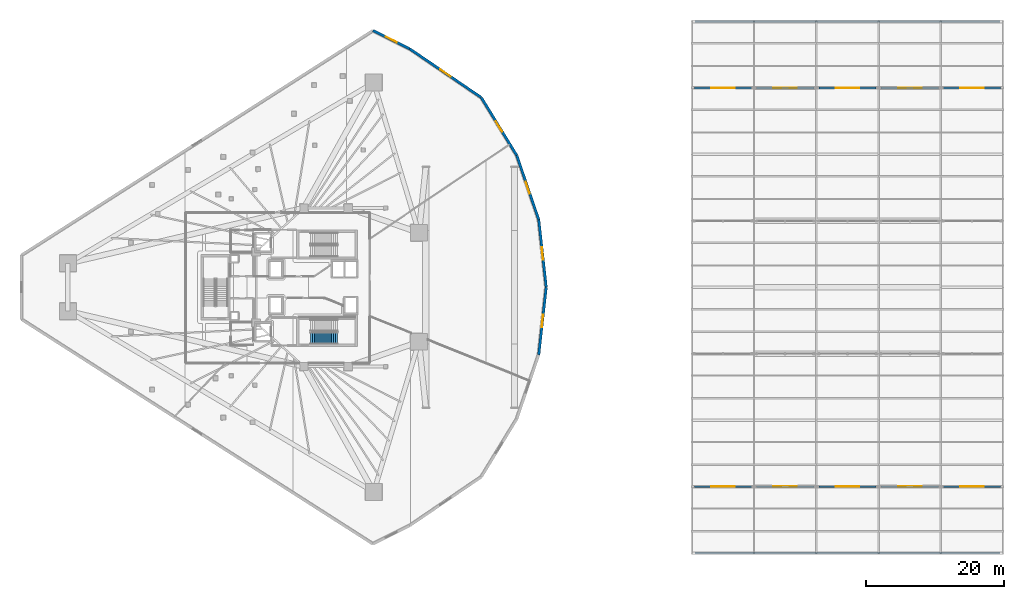
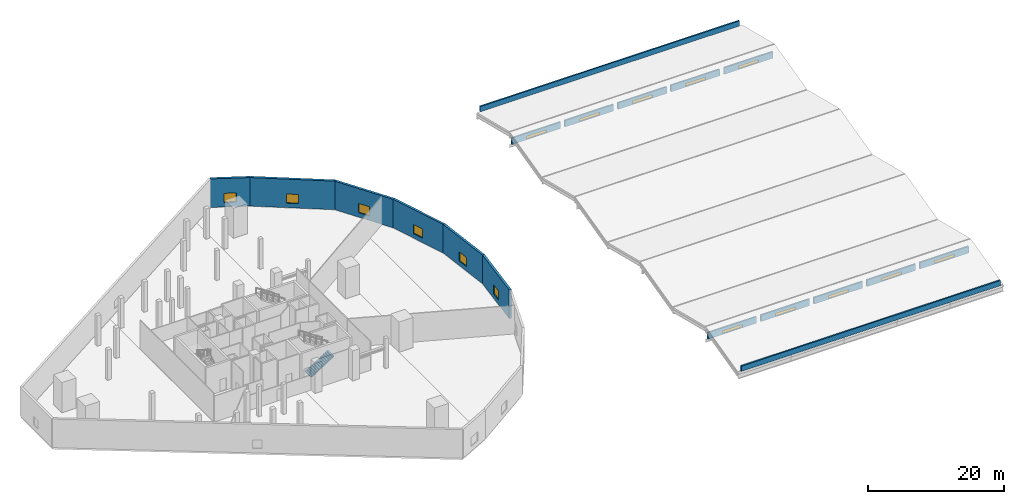
# One storey, part 27 of 36: 18 walls, 16 windows, 1 stair flight, 16 openings, 1 element without a shape of its own.
"""IFC4 building model written with IfcOpenShell, lengths in metres."""

from ifc_helpers import new_model, si_unit, direction, frame, frame_2d, origin, place, context, subcontext, project, spatial, polyline, rectangle, outline, extrude, material, layer, layer_set, type_object, element, fill, aggregate, save


model = new_model("IFC4")

# Units and contexts
model_context = context("Model", 3, precision=1e-05, world=origin(), true_north=direction((0.0, 1.0)))
body_context = subcontext(model_context, "Body", "Model", "MODEL_VIEW")
ifc_project = project(units=[si_unit("LENGTHUNIT", "METRE"), si_unit("AREAUNIT", "SQUARE_METRE"), si_unit("VOLUMEUNIT", "CUBIC_METRE"), si_unit("PLANEANGLEUNIT", "RADIAN"), si_unit("MASSUNIT", "GRAM", prefix="KILO")], contexts=[model_context])

# Site, building, storey
site_placement = place(None, origin())
site = spatial("IfcSite", under=ifc_project, at=site_placement, CompositionType="ELEMENT")
building_placement = place(site_placement, origin())
building = spatial("IfcBuilding", under=site, at=building_placement, Name="Qorvath Tower", CompositionType="ELEMENT")
storey_placement = place(building_placement, frame((0.0, 0.0, 27.0)))
storey = spatial("IfcBuildingStorey", under=building, at=storey_placement, Name="L05", CompositionType="ELEMENT", Elevation=27.0)

# Wall, opening, window
ifc_material_1 = material(Name="Precast concrete C45/55", Category="concrete")
ifc_layer_1 = layer(ifc_material_1, 0.260009765625)
ifc_layer_set_1 = layer_set([ifc_layer_1], Name="WL-EW-MON-260")
wall_type_1 = type_object("IfcWallType", Name="WL-EW-MON-260", PredefinedType="SOLIDWALL", material=ifc_layer_set_1)
wall_1_placement = place(storey_placement, frame((32.77001953125, -28.800048828125, 0.0), z_axis=(0.0, 0.0, 1.0), x_axis=(1.0, 0.0, 0.0)))
wall_1 = element("IfcWall", 1, at=wall_1_placement, inside=storey, type_object=wall_type_1, Name="Library Folded-Roof Clerestory Monitor Wall 1-1", PredefinedType="SOLIDWALL", context=body_context, shape_type="SweptSolid", body=[
    extrude(rectangle(XDim=8.260009765625, YDim=0.260009765625, at=frame_2d((4.1298828125, 0.0))), origin(), (0.0, 0.0, 1.0), 1.179931640625),
])
opening_1_placement = place(wall_1_placement, frame((2.429931640625, 0.0, 0.14990234375)))
opening_1 = element("IfcOpeningElement", 2, at=opening_1_placement, cuts=wall_1, Name="Opening SKY-11", PredefinedType="OPENING", context=body_context, shape_type="SweptSolid", body=[
    extrude(rectangle(XDim=3.39990234375, YDim=0.47998046875, at=frame_2d((1.699951171875, 0.239990234375))), frame((0.0, 0.14013671875, 0.0), z_axis=(0.0, -1.0, 0.0), x_axis=(1.0, 0.0, 0.0)), (0.0, 0.0, 1.0), 0.280029296875),
])
ifc_material_2 = material(Name="Thermally broken aluminium and triple low-E glass", Category="aluminium")
window_type_1 = type_object("IfcWindowType", Name="SKY-1", PartitioningType="SINGLE_PANEL", PredefinedType="SKYLIGHT", material=ifc_material_2)
window_1_placement = place(opening_1_placement, origin())
window_1 = element("IfcWindow", 3, at=window_1_placement, inside=storey, type_object=window_type_1, Name="Library North-Light Clerestory Skylight 1-1", OverallHeight=0.47998046875, OverallWidth=3.39990234375, PartitioningType="SINGLE_PANEL", PredefinedType="SKYLIGHT", context=body_context, shape_type="SweptSolid", body=[
    extrude(rectangle(XDim=3.39990234375, YDim=0.47998046875, at=frame_2d((1.699951171875, 0.239990234375))), frame((0.0, 0.030029296875, 0.0), z_axis=(0.0, -1.0, 0.0), x_axis=(1.0, 0.0, 0.0)), (0.0, 0.0, 1.0), 0.06005859375),
])
fill(opening_1, window_1)

wall_2_placement = place(storey_placement, frame((41.77001953125, -28.800048828125, 0.0), z_axis=(0.0, 0.0, 1.0), x_axis=(1.0, 0.0, 0.0)))
wall_2 = element("IfcWall", 4, at=wall_2_placement, inside=storey, type_object=wall_type_1, Name="Library Folded-Roof Clerestory Monitor Wall 1-2", PredefinedType="SOLIDWALL", context=body_context, shape_type="SweptSolid", body=[
    extrude(rectangle(XDim=8.260009765625, YDim=0.260009765625, at=frame_2d((4.1298828125, 0.0))), origin(), (0.0, 0.0, 1.0), 1.179931640625),
])
opening_2_placement = place(wall_2_placement, frame((2.429931640625, 0.0, 0.14990234375)))
opening_2 = element("IfcOpeningElement", 5, at=opening_2_placement, cuts=wall_2, Name="Opening SKY-12", PredefinedType="OPENING", context=body_context, shape_type="SweptSolid", body=[
    extrude(rectangle(XDim=3.39990234375, YDim=0.47998046875, at=frame_2d((1.699951171875, 0.239990234375))), frame((0.0, 0.14013671875, 0.0), z_axis=(0.0, -1.0, 0.0), x_axis=(1.0, 0.0, 0.0)), (0.0, 0.0, 1.0), 0.280029296875),
])
window_2_placement = place(opening_2_placement, origin())
window_2 = element("IfcWindow", 6, at=window_2_placement, inside=storey, type_object=window_type_1, Name="Library North-Light Clerestory Skylight 1-2", OverallHeight=0.47998046875, OverallWidth=3.39990234375, PartitioningType="SINGLE_PANEL", PredefinedType="SKYLIGHT", context=body_context, shape_type="SweptSolid", body=[
    extrude(rectangle(XDim=3.39990234375, YDim=0.47998046875, at=frame_2d((1.699951171875, 0.239990234375))), frame((0.0, 0.030029296875, 0.0), z_axis=(0.0, -1.0, 0.0), x_axis=(1.0, 0.0, 0.0)), (0.0, 0.0, 1.0), 0.06005859375),
])
fill(opening_2, window_2)

wall_3_placement = place(storey_placement, frame((50.77001953125, -28.800048828125, 0.0), z_axis=(0.0, 0.0, 1.0), x_axis=(1.0, 0.0, 0.0)))
wall_3 = element("IfcWall", 7, at=wall_3_placement, inside=storey, type_object=wall_type_1, Name="Library Folded-Roof Clerestory Monitor Wall 1-3", PredefinedType="SOLIDWALL", context=body_context, shape_type="SweptSolid", body=[
    extrude(rectangle(XDim=8.260009765625, YDim=0.260009765625, at=frame_2d((4.1298828125, 0.0))), origin(), (0.0, 0.0, 1.0), 1.179931640625),
])
opening_3_placement = place(wall_3_placement, frame((2.429931640625, 0.0, 0.14990234375)))
opening_3 = element("IfcOpeningElement", 8, at=opening_3_placement, cuts=wall_3, Name="Opening SKY-13", PredefinedType="OPENING", context=body_context, shape_type="SweptSolid", body=[
    extrude(rectangle(XDim=3.39990234375, YDim=0.47998046875, at=frame_2d((1.699951171875, 0.239990234375))), frame((0.0, 0.14013671875, 0.0), z_axis=(0.0, -1.0, 0.0), x_axis=(1.0, 0.0, 0.0)), (0.0, 0.0, 1.0), 0.280029296875),
])
window_3_placement = place(opening_3_placement, origin())
window_3 = element("IfcWindow", 9, at=window_3_placement, inside=storey, type_object=window_type_1, Name="Library North-Light Clerestory Skylight 1-3", OverallHeight=0.47998046875, OverallWidth=3.39990234375, PartitioningType="SINGLE_PANEL", PredefinedType="SKYLIGHT", context=body_context, shape_type="SweptSolid", body=[
    extrude(rectangle(XDim=3.39990234375, YDim=0.47998046875, at=frame_2d((1.699951171875, 0.239990234375))), frame((0.0, 0.030029296875, 0.0), z_axis=(0.0, -1.0, 0.0), x_axis=(1.0, 0.0, 0.0)), (0.0, 0.0, 1.0), 0.06005859375),
])
fill(opening_3, window_3)

wall_4_placement = place(storey_placement, frame((59.77001953125, -28.800048828125, 0.0), z_axis=(0.0, 0.0, 1.0), x_axis=(1.0, 0.0, 0.0)))
wall_4 = element("IfcWall", 10, at=wall_4_placement, inside=storey, type_object=wall_type_1, Name="Library Folded-Roof Clerestory Monitor Wall 1-4", PredefinedType="SOLIDWALL", context=body_context, shape_type="SweptSolid", body=[
    extrude(rectangle(XDim=8.260009765625, YDim=0.260009765625, at=frame_2d((4.1298828125, 0.0))), origin(), (0.0, 0.0, 1.0), 1.179931640625),
])
opening_4_placement = place(wall_4_placement, frame((2.429931640625, 0.0, 0.14990234375)))
opening_4 = element("IfcOpeningElement", 11, at=opening_4_placement, cuts=wall_4, Name="Opening SKY-14", PredefinedType="OPENING", context=body_context, shape_type="SweptSolid", body=[
    extrude(rectangle(XDim=3.39990234375, YDim=0.47998046875, at=frame_2d((1.699951171875, 0.239990234375))), frame((0.0, 0.14013671875, 0.0), z_axis=(0.0, -1.0, 0.0), x_axis=(1.0, 0.0, 0.0)), (0.0, 0.0, 1.0), 0.280029296875),
])
window_4_placement = place(opening_4_placement, origin())
window_4 = element("IfcWindow", 12, at=window_4_placement, inside=storey, type_object=window_type_1, Name="Library North-Light Clerestory Skylight 1-4", OverallHeight=0.47998046875, OverallWidth=3.39990234375, PartitioningType="SINGLE_PANEL", PredefinedType="SKYLIGHT", context=body_context, shape_type="SweptSolid", body=[
    extrude(rectangle(XDim=3.39990234375, YDim=0.47998046875, at=frame_2d((1.699951171875, 0.239990234375))), frame((0.0, 0.030029296875, 0.0), z_axis=(0.0, -1.0, 0.0), x_axis=(1.0, 0.0, 0.0)), (0.0, 0.0, 1.0), 0.06005859375),
])
fill(opening_4, window_4)

wall_5_placement = place(storey_placement, frame((68.77001953125, -28.800048828125, 0.0), z_axis=(0.0, 0.0, 1.0), x_axis=(1.0, 0.0, 0.0)))
wall_5 = element("IfcWall", 13, at=wall_5_placement, inside=storey, type_object=wall_type_1, Name="Library Folded-Roof Clerestory Monitor Wall 1-5", PredefinedType="SOLIDWALL", context=body_context, shape_type="SweptSolid", body=[
    extrude(rectangle(XDim=8.260009765625, YDim=0.260009765625, at=frame_2d((4.1298828125, 0.0))), origin(), (0.0, 0.0, 1.0), 1.179931640625),
])
opening_5_placement = place(wall_5_placement, frame((2.429931640625, 0.0, 0.14990234375)))
opening_5 = element("IfcOpeningElement", 14, at=opening_5_placement, cuts=wall_5, Name="Opening SKY-15", PredefinedType="OPENING", context=body_context, shape_type="SweptSolid", body=[
    extrude(rectangle(XDim=3.39990234375, YDim=0.47998046875, at=frame_2d((1.699951171875, 0.239990234375))), frame((0.0, 0.14013671875, 0.0), z_axis=(0.0, -1.0, 0.0), x_axis=(1.0, 0.0, 0.0)), (0.0, 0.0, 1.0), 0.280029296875),
])
window_5_placement = place(opening_5_placement, origin())
window_5 = element("IfcWindow", 15, at=window_5_placement, inside=storey, type_object=window_type_1, Name="Library North-Light Clerestory Skylight 1-5", OverallHeight=0.47998046875, OverallWidth=3.39990234375, PartitioningType="SINGLE_PANEL", PredefinedType="SKYLIGHT", context=body_context, shape_type="SweptSolid", body=[
    extrude(rectangle(XDim=3.39990234375, YDim=0.47998046875, at=frame_2d((1.699951171875, 0.239990234375))), frame((0.0, 0.030029296875, 0.0), z_axis=(0.0, -1.0, 0.0), x_axis=(1.0, 0.0, 0.0)), (0.0, 0.0, 1.0), 0.06005859375),
])
fill(opening_5, window_5)

wall_6_placement = place(storey_placement, frame((32.77001953125, 28.800048828125, 0.0), z_axis=(0.0, 0.0, 1.0), x_axis=(1.0, 0.0, 0.0)))
wall_6 = element("IfcWall", 16, at=wall_6_placement, inside=storey, type_object=wall_type_1, Name="Library Folded-Roof Clerestory Monitor Wall 4-1", PredefinedType="SOLIDWALL", context=body_context, shape_type="SweptSolid", body=[
    extrude(rectangle(XDim=8.260009765625, YDim=0.260009765625, at=frame_2d((4.1298828125, 0.0))), origin(), (0.0, 0.0, 1.0), 1.179931640625),
])
opening_6_placement = place(wall_6_placement, frame((2.429931640625, 0.0, 0.14990234375)))
opening_6 = element("IfcOpeningElement", 17, at=opening_6_placement, cuts=wall_6, Name="Opening SKY-41", PredefinedType="OPENING", context=body_context, shape_type="SweptSolid", body=[
    extrude(rectangle(XDim=3.39990234375, YDim=0.47998046875, at=frame_2d((1.699951171875, 0.239990234375))), frame((0.0, 0.14013671875, 0.0), z_axis=(0.0, -1.0, 0.0), x_axis=(1.0, 0.0, 0.0)), (0.0, 0.0, 1.0), 0.280029296875),
])
window_6_placement = place(opening_6_placement, origin())
window_6 = element("IfcWindow", 18, at=window_6_placement, inside=storey, type_object=window_type_1, Name="Library North-Light Clerestory Skylight 4-1", OverallHeight=0.47998046875, OverallWidth=3.39990234375, PartitioningType="SINGLE_PANEL", PredefinedType="SKYLIGHT", context=body_context, shape_type="SweptSolid", body=[
    extrude(rectangle(XDim=3.39990234375, YDim=0.47998046875, at=frame_2d((1.699951171875, 0.239990234375))), frame((0.0, 0.030029296875, 0.0), z_axis=(0.0, -1.0, 0.0), x_axis=(1.0, 0.0, 0.0)), (0.0, 0.0, 1.0), 0.06005859375),
])
fill(opening_6, window_6)

wall_7_placement = place(storey_placement, frame((41.77001953125, 28.800048828125, 0.0), z_axis=(0.0, 0.0, 1.0), x_axis=(1.0, 0.0, 0.0)))
wall_7 = element("IfcWall", 19, at=wall_7_placement, inside=storey, type_object=wall_type_1, Name="Library Folded-Roof Clerestory Monitor Wall 4-2", PredefinedType="SOLIDWALL", context=body_context, shape_type="SweptSolid", body=[
    extrude(rectangle(XDim=8.260009765625, YDim=0.260009765625, at=frame_2d((4.1298828125, 0.0))), origin(), (0.0, 0.0, 1.0), 1.179931640625),
])
opening_7_placement = place(wall_7_placement, frame((2.429931640625, 0.0, 0.14990234375)))
opening_7 = element("IfcOpeningElement", 20, at=opening_7_placement, cuts=wall_7, Name="Opening SKY-42", PredefinedType="OPENING", context=body_context, shape_type="SweptSolid", body=[
    extrude(rectangle(XDim=3.39990234375, YDim=0.47998046875, at=frame_2d((1.699951171875, 0.239990234375))), frame((0.0, 0.14013671875, 0.0), z_axis=(0.0, -1.0, 0.0), x_axis=(1.0, 0.0, 0.0)), (0.0, 0.0, 1.0), 0.280029296875),
])
window_7_placement = place(opening_7_placement, origin())
window_7 = element("IfcWindow", 21, at=window_7_placement, inside=storey, type_object=window_type_1, Name="Library North-Light Clerestory Skylight 4-2", OverallHeight=0.47998046875, OverallWidth=3.39990234375, PartitioningType="SINGLE_PANEL", PredefinedType="SKYLIGHT", context=body_context, shape_type="SweptSolid", body=[
    extrude(rectangle(XDim=3.39990234375, YDim=0.47998046875, at=frame_2d((1.699951171875, 0.239990234375))), frame((0.0, 0.030029296875, 0.0), z_axis=(0.0, -1.0, 0.0), x_axis=(1.0, 0.0, 0.0)), (0.0, 0.0, 1.0), 0.06005859375),
])
fill(opening_7, window_7)

wall_8_placement = place(storey_placement, frame((50.77001953125, 28.800048828125, 0.0), z_axis=(0.0, 0.0, 1.0), x_axis=(1.0, 0.0, 0.0)))
wall_8 = element("IfcWall", 22, at=wall_8_placement, inside=storey, type_object=wall_type_1, Name="Library Folded-Roof Clerestory Monitor Wall 4-3", PredefinedType="SOLIDWALL", context=body_context, shape_type="SweptSolid", body=[
    extrude(rectangle(XDim=8.260009765625, YDim=0.260009765625, at=frame_2d((4.1298828125, 0.0))), origin(), (0.0, 0.0, 1.0), 1.179931640625),
])
opening_8_placement = place(wall_8_placement, frame((2.429931640625, 0.0, 0.14990234375)))
opening_8 = element("IfcOpeningElement", 23, at=opening_8_placement, cuts=wall_8, Name="Opening SKY-43", PredefinedType="OPENING", context=body_context, shape_type="SweptSolid", body=[
    extrude(rectangle(XDim=3.39990234375, YDim=0.47998046875, at=frame_2d((1.699951171875, 0.239990234375))), frame((0.0, 0.14013671875, 0.0), z_axis=(0.0, -1.0, 0.0), x_axis=(1.0, 0.0, 0.0)), (0.0, 0.0, 1.0), 0.280029296875),
])
window_8_placement = place(opening_8_placement, origin())
window_8 = element("IfcWindow", 24, at=window_8_placement, inside=storey, type_object=window_type_1, Name="Library North-Light Clerestory Skylight 4-3", OverallHeight=0.47998046875, OverallWidth=3.39990234375, PartitioningType="SINGLE_PANEL", PredefinedType="SKYLIGHT", context=body_context, shape_type="SweptSolid", body=[
    extrude(rectangle(XDim=3.39990234375, YDim=0.47998046875, at=frame_2d((1.699951171875, 0.239990234375))), frame((0.0, 0.030029296875, 0.0), z_axis=(0.0, -1.0, 0.0), x_axis=(1.0, 0.0, 0.0)), (0.0, 0.0, 1.0), 0.06005859375),
])
fill(opening_8, window_8)

wall_9_placement = place(storey_placement, frame((59.77001953125, 28.800048828125, 0.0), z_axis=(0.0, 0.0, 1.0), x_axis=(1.0, 0.0, 0.0)))
wall_9 = element("IfcWall", 25, at=wall_9_placement, inside=storey, type_object=wall_type_1, Name="Library Folded-Roof Clerestory Monitor Wall 4-4", PredefinedType="SOLIDWALL", context=body_context, shape_type="SweptSolid", body=[
    extrude(rectangle(XDim=8.260009765625, YDim=0.260009765625, at=frame_2d((4.1298828125, 0.0))), origin(), (0.0, 0.0, 1.0), 1.179931640625),
])
opening_9_placement = place(wall_9_placement, frame((2.429931640625, 0.0, 0.14990234375)))
opening_9 = element("IfcOpeningElement", 26, at=opening_9_placement, cuts=wall_9, Name="Opening SKY-44", PredefinedType="OPENING", context=body_context, shape_type="SweptSolid", body=[
    extrude(rectangle(XDim=3.39990234375, YDim=0.47998046875, at=frame_2d((1.699951171875, 0.239990234375))), frame((0.0, 0.14013671875, 0.0), z_axis=(0.0, -1.0, 0.0), x_axis=(1.0, 0.0, 0.0)), (0.0, 0.0, 1.0), 0.280029296875),
])
window_9_placement = place(opening_9_placement, origin())
window_9 = element("IfcWindow", 27, at=window_9_placement, inside=storey, type_object=window_type_1, Name="Library North-Light Clerestory Skylight 4-4", OverallHeight=0.47998046875, OverallWidth=3.39990234375, PartitioningType="SINGLE_PANEL", PredefinedType="SKYLIGHT", context=body_context, shape_type="SweptSolid", body=[
    extrude(rectangle(XDim=3.39990234375, YDim=0.47998046875, at=frame_2d((1.699951171875, 0.239990234375))), frame((0.0, 0.030029296875, 0.0), z_axis=(0.0, -1.0, 0.0), x_axis=(1.0, 0.0, 0.0)), (0.0, 0.0, 1.0), 0.06005859375),
])
fill(opening_9, window_9)

wall_10_placement = place(storey_placement, frame((68.77001953125, 28.800048828125, 0.0), z_axis=(0.0, 0.0, 1.0), x_axis=(1.0, 0.0, 0.0)))
wall_10 = element("IfcWall", 28, at=wall_10_placement, inside=storey, type_object=wall_type_1, Name="Library Folded-Roof Clerestory Monitor Wall 4-5", PredefinedType="SOLIDWALL", context=body_context, shape_type="SweptSolid", body=[
    extrude(rectangle(XDim=8.260009765625, YDim=0.260009765625, at=frame_2d((4.1298828125, 0.0))), origin(), (0.0, 0.0, 1.0), 1.179931640625),
])
opening_10_placement = place(wall_10_placement, frame((2.429931640625, 0.0, 0.14990234375)))
opening_10 = element("IfcOpeningElement", 29, at=opening_10_placement, cuts=wall_10, Name="Opening SKY-45", PredefinedType="OPENING", context=body_context, shape_type="SweptSolid", body=[
    extrude(rectangle(XDim=3.39990234375, YDim=0.47998046875, at=frame_2d((1.699951171875, 0.239990234375))), frame((0.0, 0.14013671875, 0.0), z_axis=(0.0, -1.0, 0.0), x_axis=(1.0, 0.0, 0.0)), (0.0, 0.0, 1.0), 0.280029296875),
])
window_10_placement = place(opening_10_placement, origin())
window_10 = element("IfcWindow", 30, at=window_10_placement, inside=storey, type_object=window_type_1, Name="Library North-Light Clerestory Skylight 4-5", OverallHeight=0.47998046875, OverallWidth=3.39990234375, PartitioningType="SINGLE_PANEL", PredefinedType="SKYLIGHT", context=body_context, shape_type="SweptSolid", body=[
    extrude(rectangle(XDim=3.39990234375, YDim=0.47998046875, at=frame_2d((1.699951171875, 0.239990234375))), frame((0.0, 0.030029296875, 0.0), z_axis=(0.0, -1.0, 0.0), x_axis=(1.0, 0.0, 0.0)), (0.0, 0.0, 1.0), 0.06005859375),
])
fill(opening_10, window_10)

ifc_material_3 = material(Name="Precast concrete C50/60", Category="concrete")
ifc_layer_2 = layer(ifc_material_3, 0.3798828125)
ifc_layer_set_2 = layer_set([ifc_layer_2], Name="WL-EW-POD-380")
wall_type_2 = type_object("IfcWallType", Name="WL-EW-POD-380", PredefinedType="SOLIDWALL", material=ifc_layer_set_2)
wall_11_placement = place(storey_placement, frame((11.387451171875, 0.0, 0.0), z_axis=(0.0, 0.0, 1.0), x_axis=(-0.10960093364, -0.993975671405, 0.0)))
wall_11 = element("IfcWall", 31, at=wall_11_placement, inside=storey, type_object=wall_type_2, Name="Tower Podium Precast Facade Wall L05-6.1", PredefinedType="SOLIDWALL", context=body_context, shape_type="SweptSolid", body=[
    extrude(rectangle(XDim=9.807861328125, YDim=0.3798828125, at=frame_2d((4.90380859375, 0.0))), origin(), (0.0, 0.0, 1.0), 5.1201171875),
])
opening_11_placement = place(wall_11_placement, frame((4.00390625, 0.0, 0.800048828125)))
opening_11 = element("IfcOpeningElement", 32, at=opening_11_placement, cuts=wall_11, Name="Opening WN-L05-062", PredefinedType="OPENING", context=body_context, shape_type="SweptSolid", body=[
    extrude(rectangle(XDim=1.800048828125, YDim=1.64990234375, at=frame_2d((0.89990234375, 0.824951171875))), frame((0.0, 0.199951171875, 0.0), z_axis=(0.0, -1.0, 0.0), x_axis=(1.0, 0.0, 0.0)), (0.0, 0.0, 1.0), 0.39990234375),
])
ifc_material_4 = material(Name="Thermally broken aluminium and triple low-E glass", Category="aluminium")
window_type_2 = type_object("IfcWindowType", Name="WN-1", PartitioningType="SINGLE_PANEL", PredefinedType="WINDOW", material=ifc_material_4)
window_11_placement = place(opening_11_placement, origin())
window_11 = element("IfcWindow", 33, at=window_11_placement, inside=storey, type_object=window_type_2, Name="Podium Punched Window L05-062", OverallHeight=1.64990234375, OverallWidth=1.800048828125, PartitioningType="SINGLE_PANEL", PredefinedType="WINDOW", context=body_context, shape_type="SweptSolid", body=[
    extrude(rectangle(XDim=1.800048828125, YDim=1.64990234375, at=frame_2d((0.89990234375, 0.824951171875))), frame((0.0, 0.030029296875, 0.0), z_axis=(0.0, -1.0, 0.0), x_axis=(1.0, 0.0, 0.0)), (0.0, 0.0, 1.0), 0.06005859375),
])
fill(opening_11, window_11)

wall_12_placement = place(storey_placement, frame((10.3125, 9.748779296875, 0.0), z_axis=(0.0, 0.0, 1.0), x_axis=(0.10960093364, -0.993975671405, 0.0)))
wall_12 = element("IfcWall", 34, at=wall_12_placement, inside=storey, type_object=wall_type_2, Name="Tower Podium Precast Facade Wall L05-7.1", PredefinedType="SOLIDWALL", context=body_context, shape_type="SweptSolid", body=[
    extrude(rectangle(XDim=9.807861328125, YDim=0.3798828125, at=frame_2d((4.90380859375, 0.0))), origin(), (0.0, 0.0, 1.0), 5.1201171875),
])
opening_12_placement = place(wall_12_placement, frame((4.00390625, 0.0, 0.800048828125)))
opening_12 = element("IfcOpeningElement", 35, at=opening_12_placement, cuts=wall_12, Name="Opening WN-L05-063", PredefinedType="OPENING", context=body_context, shape_type="SweptSolid", body=[
    extrude(rectangle(XDim=1.800048828125, YDim=1.64990234375, at=frame_2d((0.89990234375, 0.824951171875))), frame((0.0, 0.199951171875, 0.0), z_axis=(0.0, -1.0, 0.0), x_axis=(1.0, 0.0, 0.0)), (0.0, 0.0, 1.0), 0.39990234375),
])
window_12_placement = place(opening_12_placement, origin())
window_12 = element("IfcWindow", 36, at=window_12_placement, inside=storey, type_object=window_type_2, Name="Podium Punched Window L05-063", OverallHeight=1.64990234375, OverallWidth=1.800048828125, PartitioningType="SINGLE_PANEL", PredefinedType="WINDOW", context=body_context, shape_type="SweptSolid", body=[
    extrude(rectangle(XDim=1.800048828125, YDim=1.64990234375, at=frame_2d((0.89990234375, 0.824951171875))), frame((0.0, 0.030029296875, 0.0), z_axis=(0.0, -1.0, 0.0), x_axis=(1.0, 0.0, 0.0)), (0.0, 0.0, 1.0), 0.06005859375),
])
fill(opening_12, window_12)

wall_13_placement = place(storey_placement, frame((7.139404296875, 19.029052734375, 0.0), z_axis=(0.0, 0.0, 1.0), x_axis=(0.323529337119, -0.946218139767, 0.0)))
wall_13 = element("IfcWall", 37, at=wall_13_placement, inside=storey, type_object=wall_type_2, Name="Tower Podium Precast Facade Wall L05-8.1", PredefinedType="SOLIDWALL", context=body_context, shape_type="SweptSolid", body=[
    extrude(rectangle(XDim=9.807861328125, YDim=0.3798828125, at=frame_2d((4.90380859375, 0.0))), origin(), (0.0, 0.0, 1.0), 5.1201171875),
])
opening_13_placement = place(wall_13_placement, frame((4.00390625, 0.0, 0.800048828125)))
opening_13 = element("IfcOpeningElement", 38, at=opening_13_placement, cuts=wall_13, Name="Opening WN-L05-064", PredefinedType="OPENING", context=body_context, shape_type="SweptSolid", body=[
    extrude(rectangle(XDim=1.800048828125, YDim=1.64990234375, at=frame_2d((0.89990234375, 0.824951171875))), frame((0.0, 0.199951171875, 0.0), z_axis=(0.0, -1.0, 0.0), x_axis=(1.0, 0.0, 0.0)), (0.0, 0.0, 1.0), 0.39990234375),
])
window_13_placement = place(opening_13_placement, origin())
window_13 = element("IfcWindow", 39, at=window_13_placement, inside=storey, type_object=window_type_2, Name="Podium Punched Window L05-064", OverallHeight=1.64990234375, OverallWidth=1.800048828125, PartitioningType="SINGLE_PANEL", PredefinedType="WINDOW", context=body_context, shape_type="SweptSolid", body=[
    extrude(rectangle(XDim=1.800048828125, YDim=1.64990234375, at=frame_2d((0.89990234375, 0.824951171875))), frame((0.0, 0.030029296875, 0.0), z_axis=(0.0, -1.0, 0.0), x_axis=(1.0, 0.0, 0.0)), (0.0, 0.0, 1.0), 0.06005859375),
])
fill(opening_13, window_13)

wall_14_placement = place(storey_placement, frame((2.0205078125, 27.39501953125, 0.0), z_axis=(0.0, 0.0, 1.0), x_axis=(0.521922160909, -0.852993117178, 0.0)))
wall_14 = element("IfcWall", 40, at=wall_14_placement, inside=storey, type_object=wall_type_2, Name="Tower Podium Precast Facade Wall L05-9.1", PredefinedType="SOLIDWALL", context=body_context, shape_type="SweptSolid", body=[
    extrude(rectangle(XDim=9.807861328125, YDim=0.3798828125, at=frame_2d((4.90380859375, 0.0))), origin(), (0.0, 0.0, 1.0), 5.1201171875),
])
opening_14_placement = place(wall_14_placement, frame((4.00390625, 0.0, 0.800048828125)))
opening_14 = element("IfcOpeningElement", 41, at=opening_14_placement, cuts=wall_14, Name="Opening WN-L05-065", PredefinedType="OPENING", context=body_context, shape_type="SweptSolid", body=[
    extrude(rectangle(XDim=1.800048828125, YDim=1.64990234375, at=frame_2d((0.89990234375, 0.824951171875))), frame((0.0, 0.199951171875, 0.0), z_axis=(0.0, -1.0, 0.0), x_axis=(1.0, 0.0, 0.0)), (0.0, 0.0, 1.0), 0.39990234375),
])
window_14_placement = place(opening_14_placement, origin())
window_14 = element("IfcWindow", 42, at=window_14_placement, inside=storey, type_object=window_type_2, Name="Podium Punched Window L05-065", OverallHeight=1.64990234375, OverallWidth=1.800048828125, PartitioningType="SINGLE_PANEL", PredefinedType="WINDOW", context=body_context, shape_type="SweptSolid", body=[
    extrude(rectangle(XDim=1.800048828125, YDim=1.64990234375, at=frame_2d((0.89990234375, 0.824951171875))), frame((0.0, 0.030029296875, 0.0), z_axis=(0.0, -1.0, 0.0), x_axis=(1.0, 0.0, 0.0)), (0.0, 0.0, 1.0), 0.06005859375),
])
fill(opening_14, window_14)

wall_15_placement = place(storey_placement, frame((-8.3359375, 34.44482421875, 0.0), z_axis=(0.0, 0.0, 1.0), x_axis=(0.826650936963, -0.562715050819, 0.0)))
wall_15 = element("IfcWall", 43, at=wall_15_placement, inside=storey, type_object=wall_type_2, Name="Tower Podium Precast Facade Wall L05-10.1", PredefinedType="SOLIDWALL", context=body_context, shape_type="SweptSolid", body=[
    extrude(rectangle(XDim=12.528076171875, YDim=0.3798828125, at=frame_2d((6.26416015625, 0.0))), origin(), (0.0, 0.0, 1.0), 5.1201171875),
])
opening_15_placement = place(wall_15_placement, frame((5.364013671875, 0.0, 0.800048828125)))
opening_15 = element("IfcOpeningElement", 44, at=opening_15_placement, cuts=wall_15, Name="Opening WN-L05-066", PredefinedType="OPENING", context=body_context, shape_type="SweptSolid", body=[
    extrude(rectangle(XDim=1.800048828125, YDim=1.64990234375, at=frame_2d((0.89990234375, 0.824951171875))), frame((0.0, 0.199951171875, 0.0), z_axis=(0.0, -1.0, 0.0), x_axis=(1.0, 0.0, 0.0)), (0.0, 0.0, 1.0), 0.39990234375),
])
window_15_placement = place(opening_15_placement, origin())
window_15 = element("IfcWindow", 45, at=window_15_placement, inside=storey, type_object=window_type_2, Name="Podium Punched Window L05-066", OverallHeight=1.64990234375, OverallWidth=1.800048828125, PartitioningType="SINGLE_PANEL", PredefinedType="WINDOW", context=body_context, shape_type="SweptSolid", body=[
    extrude(rectangle(XDim=1.800048828125, YDim=1.64990234375, at=frame_2d((0.89990234375, 0.824951171875))), frame((0.0, 0.030029296875, 0.0), z_axis=(0.0, -1.0, 0.0), x_axis=(1.0, 0.0, 0.0)), (0.0, 0.0, 1.0), 0.06005859375),
])
fill(opening_15, window_15)

wall_16_placement = place(storey_placement, frame((-13.63525390625, 37.094482421875, 0.0), z_axis=(0.0, 0.0, 1.0), x_axis=(0.894427191, -0.4472135955, 0.0)))
wall_16 = element("IfcWall", 46, at=wall_16_placement, inside=storey, type_object=wall_type_2, Name="Tower Podium Precast Facade Wall L05-11.1", PredefinedType="SOLIDWALL", context=body_context, shape_type="SweptSolid", body=[
    extrude(rectangle(XDim=5.9248046875, YDim=0.3798828125, at=frame_2d((2.96240234375, 0.0))), origin(), (0.0, 0.0, 1.0), 5.1201171875),
])
opening_16_placement = place(wall_16_placement, frame((2.0625, 0.0, 0.800048828125)))
opening_16 = element("IfcOpeningElement", 47, at=opening_16_placement, cuts=wall_16, Name="Opening WN-L05-067", PredefinedType="OPENING", context=body_context, shape_type="SweptSolid", body=[
    extrude(rectangle(XDim=1.800048828125, YDim=1.64990234375, at=frame_2d((0.89990234375, 0.824951171875))), frame((0.0, 0.199951171875, 0.0), z_axis=(0.0, -1.0, 0.0), x_axis=(1.0, 0.0, 0.0)), (0.0, 0.0, 1.0), 0.39990234375),
])
window_16_placement = place(opening_16_placement, origin())
window_16 = element("IfcWindow", 48, at=window_16_placement, inside=storey, type_object=window_type_2, Name="Podium Punched Window L05-067", OverallHeight=1.64990234375, OverallWidth=1.800048828125, PartitioningType="SINGLE_PANEL", PredefinedType="WINDOW", context=body_context, shape_type="SweptSolid", body=[
    extrude(rectangle(XDim=1.800048828125, YDim=1.64990234375, at=frame_2d((0.89990234375, 0.824951171875))), frame((0.0, 0.030029296875, 0.0), z_axis=(0.0, -1.0, 0.0), x_axis=(1.0, 0.0, 0.0)), (0.0, 0.0, 1.0), 0.06005859375),
])
fill(opening_16, window_16)

# Walls
ifc_material_5 = material(Name="Precast concrete C45/55", Category="concrete")
ifc_layer_3 = layer(ifc_material_5, 0.239990234375)
ifc_layer_set_3 = layer_set([ifc_layer_3], Name="WL-PW-240")
wall_type_3 = type_object("IfcWallType", Name="WL-PW-240", PredefinedType="PARAPET", material=ifc_layer_set_3)
for number, where, z_axis, x_axis, name in (
    (49, (32.89990234375, -38.39990234375, 0.0), (0.0, 0.0, 1.0), (1.0, 0.0, 0.0), "Library Roof Eave Parapet 1"),
    (50, (76.89990234375, 38.39990234375, 0.0), (0.0, 0.0, 1.0), (-1.0, 0.0, 0.0), "Library Roof Eave Parapet 2"),
):
    element("IfcWall", number, at=place(storey_placement, frame(where, z_axis=z_axis, x_axis=x_axis)), inside=storey, type_object=wall_type_3, Name=name, PredefinedType="PARAPET", context=body_context, shape_type="SweptSolid", body=[
        extrude(rectangle(XDim=44.0, YDim=0.239990234375, at=frame_2d((22.0, 0.0))), origin(), (0.0, 0.0, 1.0), 0.949951171875),
    ])

# Stair, stair flight
ifc_material_6 = material(Name="Concrete C50/60", Category="concrete")
stair_type = type_object("IfcStairType", Name="ST-H540", PredefinedType="HALF_TURN_STAIR", material=ifc_material_6)
stair_placement = place(storey_placement, origin())
stair = element("IfcStair", 51, at=stair_placement, inside=storey, type_object=stair_type, Name="L05 Tower Exit Stair 2", PredefinedType="HALF_TURN_STAIR")
ifc_material_7 = material(Name="Concrete C50/60", Category="concrete")
ifc_layer_4 = layer(ifc_material_7, 0.14990234375)
ifc_layer_set_4 = layer_set([ifc_layer_4], Name="SF-H540")
stair_flight_type = type_object("IfcStairFlightType", Name="SF-H540", PredefinedType="STRAIGHT", material=ifc_layer_set_4)
stair_flight_placement = place(storey_placement, frame((-22.669921875, -7.360107421875, 0.0), z_axis=(0.0, 0.0, 1.0), x_axis=(1.0, 0.0, 0.0)))
stair_flight = element("IfcStairFlight", 52, at=stair_flight_placement, type_object=stair_flight_type, Name="TS2 flight 1", NumberOfRisers=15, NumberOfTreads=14, PredefinedType="STRAIGHT", RiserHeight=0.18, TreadLength=0.28, context=body_context, shape_type="SweptSolid", body=[
    extrude(outline(polyline([(0.0, 0.0), (0.0, 0.179931640625), (0.280029296875, 0.179931640625), (0.280029296875, 0.360107421875), (0.56005859375, 0.360107421875), (0.56005859375, 0.5400390625), (0.840087890625, 0.5400390625), (0.840087890625, 0.719970703125), (1.1201171875, 0.719970703125), (1.1201171875, 0.89990234375), (1.39990234375, 0.89990234375), (1.39990234375, 1.080078125), (1.679931640625, 1.080078125), (1.679931640625, 1.260009765625), (1.9599609375, 1.260009765625), (1.9599609375, 1.43994140625), (2.239990234375, 1.43994140625), (2.239990234375, 1.6201171875), (2.52001953125, 1.6201171875), (2.52001953125, 1.800048828125), (2.800048828125, 1.800048828125), (2.800048828125, 1.97998046875), (3.080078125, 1.97998046875), (3.080078125, 2.159912109375), (3.360107421875, 2.159912109375), (3.360107421875, 2.340087890625), (3.639892578125, 2.340087890625), (3.639892578125, 2.52001953125), (3.919921875, 2.52001953125), (3.919921875, 2.699951171875), (3.919921875, 2.341796875), (0.277099609375, 0.0), (0.0, 0.0)])), frame((0.0, 0.83984375, 0.0), z_axis=(0.0, -1.0, 0.0), x_axis=(1.0, 0.0, 0.0)), (0.0, 0.0, 1.0), 1.679931640625),
])
aggregate(stair, [stair_flight])

save(model, "model.ifc")
